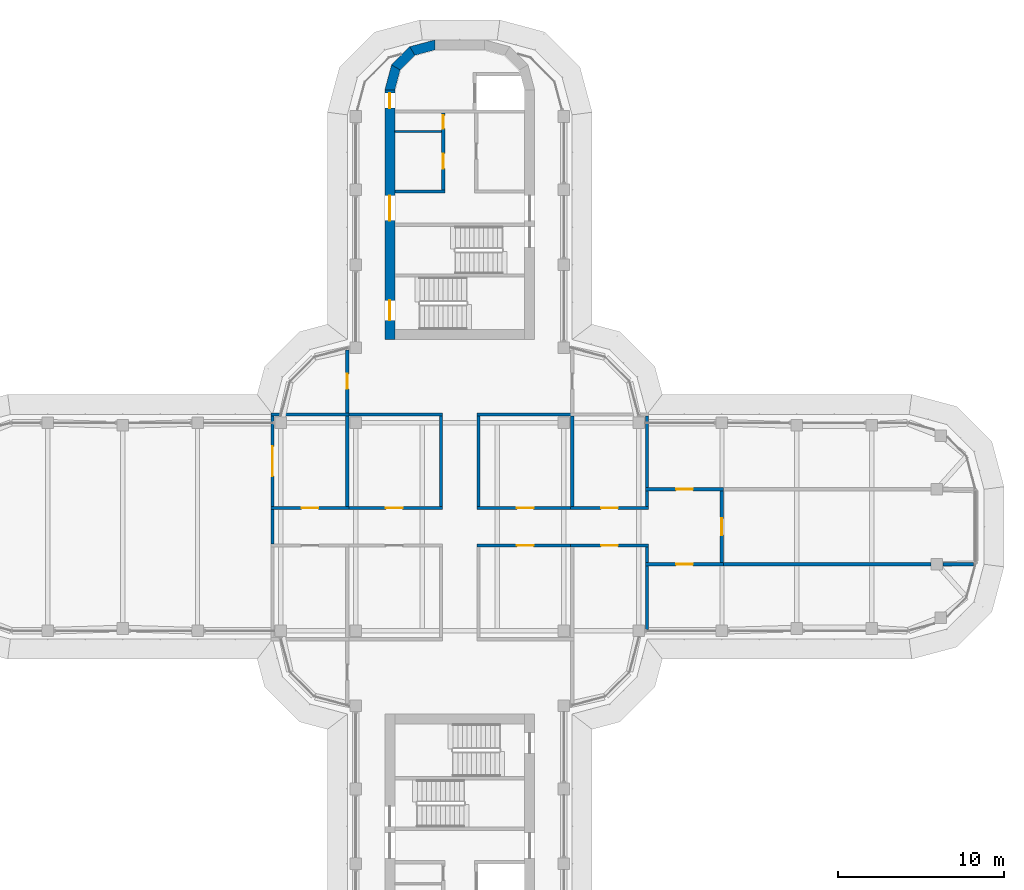
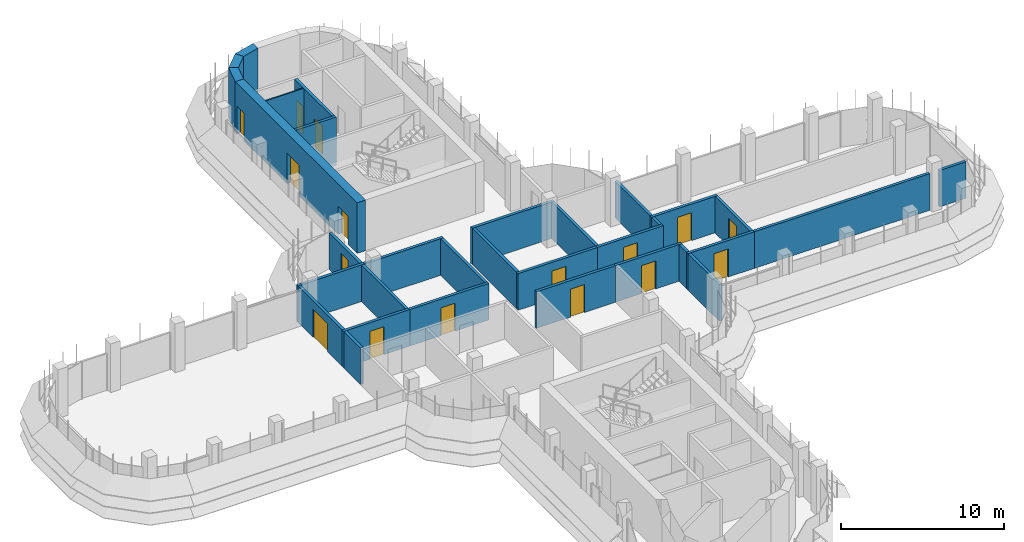
# One storey, part 14 of 19: 32 walls, 16 doors, 16 openings.
"""IFC4 building model written with IfcOpenShell, lengths in metres."""

from ifc_helpers import new_model, si_unit, direction, frame, frame_2d, origin, place, context, subcontext, project, spatial, polyline, rectangle, outline, extrude, material, layer, layer_set, type_object, element, fill, save


model = new_model("IFC4")

# Units and contexts
model_context = context("Model", 3, precision=1e-05, world=origin(), true_north=direction((0.0, 1.0)))
body_context = subcontext(model_context, "Body", "Model", "MODEL_VIEW")
ifc_project = project(units=[si_unit("LENGTHUNIT", "METRE"), si_unit("AREAUNIT", "SQUARE_METRE"), si_unit("VOLUMEUNIT", "CUBIC_METRE"), si_unit("PLANEANGLEUNIT", "RADIAN"), si_unit("MASSUNIT", "GRAM", prefix="KILO")], contexts=[model_context])

# Site, building, storey
site_placement = place(None, origin())
site = spatial("IfcSite", under=ifc_project, at=site_placement, CompositionType="ELEMENT")
building_placement = place(site_placement, origin())
building = spatial("IfcBuilding", under=site, at=building_placement, Name="Zarbagh Exchange Tower", CompositionType="ELEMENT")
storey_placement = place(building_placement, frame((0.0, 0.0, 241.0)))
storey = spatial("IfcBuildingStorey", under=building, at=storey_placement, Name="L59", CompositionType="ELEMENT", Elevation=241.0)

# Wall
ifc_material_1 = material(Name="Dense blockwork", Category="masonry")
ifc_layer_1 = layer(ifc_material_1, 0.10009765625)
ifc_layer_set_1 = layer_set([ifc_layer_1], Name="Core partition 100 mm blockwork")
wall_type_1 = type_object("IfcWallType", Name="Core partition 100 mm blockwork", PredefinedType="PARTITIONING", material=ifc_layer_set_1)
wall_1_placement = place(storey_placement, frame((-3.89990234375, 23.75, 0.0), z_axis=(0.0, 0.0, 1.0), x_axis=(1.0, 0.0, 0.0)))
element("IfcWall", 1, at=wall_1_placement, inside=storey, type_object=wall_type_1, Name="North core partition wall CUT-W-460", PredefinedType="PARTITIONING", context=body_context, shape_type="SweptSolid", body=[
    extrude(rectangle(XDim=2.7998046875, YDim=0.10009765625, at=frame_2d((1.39990234375, 0.0))), origin(), (0.0, 0.0, 1.0), 3.64990234375),
])

# Wall, opening, door
ifc_material_2 = material(Name="Fire-rated plasterboard partition")
ifc_layer_2 = layer(ifc_material_2, 0.199951171875)
ifc_layer_set_2 = layer_set([ifc_layer_2], Name="RATED PARTITION 200")
wall_type_2 = type_object("IfcWallType", Name="RATED PARTITION 200", PredefinedType="PARTITIONING", material=ifc_layer_set_2)
wall_2_placement = place(storey_placement, frame((1.02490234375, 1.125, 0.0), z_axis=(0.0, 0.0, 1.0), x_axis=(1.0, 0.0, 0.0)))
wall_2 = element("IfcWall", 2, at=wall_2_placement, inside=storey, type_object=wall_type_2, Name="Partition W-2501", PredefinedType="PARTITIONING", context=body_context, shape_type="SweptSolid", body=[
    extrude(rectangle(XDim=5.8251953125, YDim=0.199951171875, at=frame_2d((2.91259765625, 0.0))), origin(), (0.0, 0.0, 1.0), 2.745849609375),
])
opening_1_placement = place(wall_2_placement, frame((2.41259765625, 0.0, 0.0)))
opening_1 = element("IfcOpeningElement", 3, at=opening_1_placement, cuts=wall_2, Name="Opening D-2504", PredefinedType="OPENING", context=body_context, shape_type="SweptSolid", body=[
    extrude(rectangle(XDim=1.0, YDim=2.10009765625, at=frame_2d((0.5, 1.050048828125))), frame((0.0, 0.10986328125, 0.0), z_axis=(0.0, -1.0, 0.0), x_axis=(1.0, 0.0, 0.0)), (0.0, 0.0, 1.0), 0.219970703125),
])
ifc_material_3 = material(Name="Steel door set", Category="steel")
door_type_1 = type_object("IfcDoorType", Name="FIRE DOOR 1000 X 2100 FD30S", OperationType="NOTDEFINED", PredefinedType="DOOR", material=ifc_material_3)
door_1_placement = place(opening_1_placement, origin())
door_1 = element("IfcDoor", 4, at=door_1_placement, inside=storey, type_object=door_type_1, Name="Door D-2504", OperationType="SINGLE_SWING_RIGHT", OverallHeight=2.10009765625, OverallWidth=1.0, PredefinedType="DOOR", context=body_context, shape_type="SweptSolid", body=[
    extrude(rectangle(XDim=1.0, YDim=2.10009765625, at=frame_2d((0.5, 1.050048828125))), frame((0.0, 0.02490234375, 0.0), z_axis=(0.0, -1.0, 0.0), x_axis=(1.0, 0.0, 0.0)), (0.0, 0.0, 1.0), 0.050048828125),
])
fill(opening_1, door_1)

wall_3_placement = place(storey_placement, frame((6.64990234375, 1.125, 0.0), z_axis=(0.0, 0.0, 1.0), x_axis=(1.0, 0.0, 0.0)))
wall_3 = element("IfcWall", 5, at=wall_3_placement, inside=storey, type_object=wall_type_2, Name="Partition W-2502", PredefinedType="PARTITIONING", context=body_context, shape_type="SweptSolid", body=[
    extrude(rectangle(XDim=4.7001953125, YDim=0.199951171875, at=frame_2d((2.35009765625, 0.0))), origin(), (0.0, 0.0, 1.0), 2.745849609375),
])
opening_2_placement = place(wall_3_placement, frame((1.85009765625, 0.0, 0.0)))
opening_2 = element("IfcOpeningElement", 6, at=opening_2_placement, cuts=wall_3, Name="Opening D-2505", PredefinedType="OPENING", context=body_context, shape_type="SweptSolid", body=[
    extrude(rectangle(XDim=1.0, YDim=2.10009765625, at=frame_2d((0.5, 1.050048828125))), frame((0.0, 0.10986328125, 0.0), z_axis=(0.0, -1.0, 0.0), x_axis=(1.0, 0.0, 0.0)), (0.0, 0.0, 1.0), 0.219970703125),
])
door_2_placement = place(opening_2_placement, origin())
door_2 = element("IfcDoor", 7, at=door_2_placement, inside=storey, type_object=door_type_1, Name="Door D-2505", OperationType="SINGLE_SWING_RIGHT", OverallHeight=2.10009765625, OverallWidth=1.0, PredefinedType="DOOR", context=body_context, shape_type="SweptSolid", body=[
    extrude(rectangle(XDim=1.0, YDim=2.10009765625, at=frame_2d((0.5, 1.050048828125))), frame((0.0, 0.02490234375, 0.0), z_axis=(0.0, -1.0, 0.0), x_axis=(1.0, 0.0, 0.0)), (0.0, 0.0, 1.0), 0.050048828125),
])
fill(opening_2, door_2)

wall_4_placement = place(storey_placement, frame((-6.85009765625, 1.125, 0.0), z_axis=(0.0, 0.0, 1.0), x_axis=(1.0, 0.0, 0.0)))
wall_4 = element("IfcWall", 8, at=wall_4_placement, inside=storey, type_object=wall_type_2, Name="Partition W-2503", PredefinedType="PARTITIONING", context=body_context, shape_type="SweptSolid", body=[
    extrude(rectangle(XDim=5.8251953125, YDim=0.199951171875, at=frame_2d((2.91259765625, 0.0))), origin(), (0.0, 0.0, 1.0), 2.745849609375),
])
opening_3_placement = place(wall_4_placement, frame((2.41259765625, 0.0, 0.0)))
opening_3 = element("IfcOpeningElement", 9, at=opening_3_placement, cuts=wall_4, Name="Opening D-2507", PredefinedType="OPENING", context=body_context, shape_type="SweptSolid", body=[
    extrude(rectangle(XDim=1.0, YDim=2.10009765625, at=frame_2d((0.5, 1.050048828125))), frame((0.0, 0.10986328125, 0.0), z_axis=(0.0, -1.0, 0.0), x_axis=(1.0, 0.0, 0.0)), (0.0, 0.0, 1.0), 0.219970703125),
])
door_3_placement = place(opening_3_placement, origin())
door_3 = element("IfcDoor", 10, at=door_3_placement, inside=storey, type_object=door_type_1, Name="Door D-2507", OperationType="SINGLE_SWING_RIGHT", OverallHeight=2.10009765625, OverallWidth=1.0, PredefinedType="DOOR", context=body_context, shape_type="SweptSolid", body=[
    extrude(rectangle(XDim=1.0, YDim=2.10009765625, at=frame_2d((0.5, 1.050048828125))), frame((0.0, 0.02490234375, 0.0), z_axis=(0.0, -1.0, 0.0), x_axis=(1.0, 0.0, 0.0)), (0.0, 0.0, 1.0), 0.050048828125),
])
fill(opening_3, door_3)

wall_5_placement = place(storey_placement, frame((-11.35009765625, 1.125, 0.0), z_axis=(0.0, 0.0, 1.0), x_axis=(1.0, 0.0, 0.0)))
wall_5 = element("IfcWall", 11, at=wall_5_placement, inside=storey, type_object=wall_type_2, Name="Partition W-2504", PredefinedType="PARTITIONING", context=body_context, shape_type="SweptSolid", body=[
    extrude(rectangle(XDim=4.7001953125, YDim=0.199951171875, at=frame_2d((2.35009765625, 0.0))), origin(), (0.0, 0.0, 1.0), 2.745849609375),
])
opening_4_placement = place(wall_5_placement, frame((1.85009765625, 0.0, 0.0)))
opening_4 = element("IfcOpeningElement", 12, at=opening_4_placement, cuts=wall_5, Name="Opening D-2508", PredefinedType="OPENING", context=body_context, shape_type="SweptSolid", body=[
    extrude(rectangle(XDim=1.0, YDim=2.10009765625, at=frame_2d((0.5, 1.050048828125))), frame((0.0, 0.10986328125, 0.0), z_axis=(0.0, -1.0, 0.0), x_axis=(1.0, 0.0, 0.0)), (0.0, 0.0, 1.0), 0.219970703125),
])
door_4_placement = place(opening_4_placement, origin())
door_4 = element("IfcDoor", 13, at=door_4_placement, inside=storey, type_object=door_type_1, Name="Door D-2508", OperationType="SINGLE_SWING_RIGHT", OverallHeight=2.10009765625, OverallWidth=1.0, PredefinedType="DOOR", context=body_context, shape_type="SweptSolid", body=[
    extrude(rectangle(XDim=1.0, YDim=2.10009765625, at=frame_2d((0.5, 1.050048828125))), frame((0.0, 0.02490234375, 0.0), z_axis=(0.0, -1.0, 0.0), x_axis=(1.0, 0.0, 0.0)), (0.0, 0.0, 1.0), 0.050048828125),
])
fill(opening_4, door_4)

wall_6_placement = place(storey_placement, frame((6.85009765625, -1.125, 0.0), z_axis=(0.0, 0.0, 1.0), x_axis=(-1.0, 0.0, 0.0)))
wall_6 = element("IfcWall", 14, at=wall_6_placement, inside=storey, type_object=wall_type_2, Name="Partition W-2505", PredefinedType="PARTITIONING", context=body_context, shape_type="SweptSolid", body=[
    extrude(rectangle(XDim=5.8251953125, YDim=0.199951171875, at=frame_2d((2.91259765625, 0.0))), origin(), (0.0, 0.0, 1.0), 2.745849609375),
])
opening_5_placement = place(wall_6_placement, frame((2.41259765625, 0.0, 0.0)))
opening_5 = element("IfcOpeningElement", 15, at=opening_5_placement, cuts=wall_6, Name="Opening D-2510", PredefinedType="OPENING", context=body_context, shape_type="SweptSolid", body=[
    extrude(rectangle(XDim=1.0, YDim=2.10009765625, at=frame_2d((0.5, 1.050048828125))), frame((0.0, 0.10986328125, 0.0), z_axis=(0.0, -1.0, 0.0), x_axis=(1.0, 0.0, 0.0)), (0.0, 0.0, 1.0), 0.219970703125),
])
door_5_placement = place(opening_5_placement, origin())
door_5 = element("IfcDoor", 16, at=door_5_placement, inside=storey, type_object=door_type_1, Name="Door D-2510", OperationType="SINGLE_SWING_RIGHT", OverallHeight=2.10009765625, OverallWidth=1.0, PredefinedType="DOOR", context=body_context, shape_type="SweptSolid", body=[
    extrude(rectangle(XDim=1.0, YDim=2.10009765625, at=frame_2d((0.5, 1.050048828125))), frame((0.0, 0.02490234375, 0.0), z_axis=(0.0, -1.0, 0.0), x_axis=(1.0, 0.0, 0.0)), (0.0, 0.0, 1.0), 0.050048828125),
])
fill(opening_5, door_5)

wall_7_placement = place(storey_placement, frame((11.35009765625, -1.125, 0.0), z_axis=(0.0, 0.0, 1.0), x_axis=(-1.0, 0.0, 0.0)))
wall_7 = element("IfcWall", 17, at=wall_7_placement, inside=storey, type_object=wall_type_2, Name="Partition W-2506", PredefinedType="PARTITIONING", context=body_context, shape_type="SweptSolid", body=[
    extrude(rectangle(XDim=4.7001953125, YDim=0.199951171875, at=frame_2d((2.35009765625, 0.0))), origin(), (0.0, 0.0, 1.0), 2.745849609375),
])
opening_6_placement = place(wall_7_placement, frame((1.85009765625, 0.0, 0.0)))
opening_6 = element("IfcOpeningElement", 18, at=opening_6_placement, cuts=wall_7, Name="Opening D-2511", PredefinedType="OPENING", context=body_context, shape_type="SweptSolid", body=[
    extrude(rectangle(XDim=1.0, YDim=2.10009765625, at=frame_2d((0.5, 1.050048828125))), frame((0.0, 0.10986328125, 0.0), z_axis=(0.0, -1.0, 0.0), x_axis=(1.0, 0.0, 0.0)), (0.0, 0.0, 1.0), 0.219970703125),
])
door_6_placement = place(opening_6_placement, origin())
door_6 = element("IfcDoor", 19, at=door_6_placement, inside=storey, type_object=door_type_1, Name="Door D-2511", OperationType="SINGLE_SWING_RIGHT", OverallHeight=2.10009765625, OverallWidth=1.0, PredefinedType="DOOR", context=body_context, shape_type="SweptSolid", body=[
    extrude(rectangle(XDim=1.0, YDim=2.10009765625, at=frame_2d((0.5, 1.050048828125))), frame((0.0, 0.02490234375, 0.0), z_axis=(0.0, -1.0, 0.0), x_axis=(1.0, 0.0, 0.0)), (0.0, 0.0, 1.0), 0.050048828125),
])
fill(opening_6, door_6)

# Walls
wall_8_placement = place(storey_placement, frame((-11.25, -1.02490234375, 0.0), z_axis=(0.0, 0.0, 1.0), x_axis=(0.0, 1.0, 0.0)))
element("IfcWall", 20, at=wall_8_placement, inside=storey, type_object=wall_type_2, Name="Partition W-2509", PredefinedType="PARTITIONING", context=body_context, shape_type="SweptSolid", body=[
    extrude(rectangle(XDim=2.0498046875, YDim=0.199951171875, at=frame_2d((1.02490234375, 0.0))), origin(), (0.0, 0.0, 1.0), 2.745849609375),
])
for number, where, z_axis, x_axis, name in (
    (21, (1.125, 1.22509765625, 0.0), (0.0, 0.0, 1.0), (0.0, 1.0, 0.0), "Partition W-2510"),
    (22, (-1.125, 1.22509765625, 0.0), (0.0, 0.0, 1.0), (0.0, 1.0, 0.0), "Partition W-2511"),
):
    element("IfcWall", number, at=place(storey_placement, frame(where, z_axis=z_axis, x_axis=x_axis)), inside=storey, type_object=wall_type_2, Name=name, PredefinedType="PARTITIONING", context=body_context, shape_type="SweptSolid", body=[
        extrude(rectangle(XDim=5.4248046875, YDim=0.199951171875, at=frame_2d((2.71240234375, 0.0))), origin(), (0.0, 0.0, 1.0), 2.745849609375),
    ])
for number, where, z_axis, x_axis, name in (
    (23, (1.02490234375, 6.75, 0.0), (0.0, 0.0, 1.0), (1.0, 0.0, 0.0), "Partition W-2514"),
    (24, (-6.85009765625, 6.75, 0.0), (0.0, 0.0, 1.0), (1.0, 0.0, 0.0), "Partition W-2516"),
):
    element("IfcWall", number, at=place(storey_placement, frame(where, z_axis=z_axis, x_axis=x_axis)), inside=storey, type_object=wall_type_2, Name=name, PredefinedType="PARTITIONING", context=body_context, shape_type="SweptSolid", body=[
        extrude(rectangle(XDim=5.8251953125, YDim=0.199951171875, at=frame_2d((2.91259765625, 0.0))), origin(), (0.0, 0.0, 1.0), 2.745849609375),
    ])

# Wall, opening, door
wall_9_placement = place(storey_placement, frame((-6.75, 6.85009765625, 0.0), z_axis=(0.0, 0.0, 1.0), x_axis=(0.0, 1.0, 0.0)))
wall_9 = element("IfcWall", 25, at=wall_9_placement, inside=storey, type_object=wall_type_2, Name="Partition W-2517", PredefinedType="PARTITIONING", context=body_context, shape_type="SweptSolid", body=[
    extrude(rectangle(XDim=3.77978515625, YDim=0.199951171875, at=frame_2d((1.889892578125, 0.0))), origin(), (0.0, 0.0, 1.0), 2.745849609375),
])
opening_7_placement = place(wall_9_placement, frame((1.43994140625, 0.0, 0.0)))
opening_7 = element("IfcOpeningElement", 26, at=opening_7_placement, cuts=wall_9, Name="Opening D-2509", PredefinedType="OPENING", context=body_context, shape_type="SweptSolid", body=[
    extrude(rectangle(XDim=0.89990234375, YDim=2.10009765625, at=frame_2d((0.449951171875, 1.050048828125))), frame((0.0, 0.10986328125, 0.0), z_axis=(0.0, -1.0, 0.0), x_axis=(1.0, 0.0, 0.0)), (0.0, 0.0, 1.0), 0.219970703125),
])
ifc_material_4 = material(Name="Timber door leaf", Category="wood")
door_type_2 = type_object("IfcDoorType", Name="DOOR 900 X 2100", OperationType="NOTDEFINED", PredefinedType="DOOR", material=ifc_material_4)
door_7_placement = place(opening_7_placement, origin())
door_7 = element("IfcDoor", 27, at=door_7_placement, inside=storey, type_object=door_type_2, Name="Door D-2509", OperationType="SINGLE_SWING_LEFT", OverallHeight=2.10009765625, OverallWidth=0.89990234375, PredefinedType="DOOR", context=body_context, shape_type="SweptSolid", body=[
    extrude(rectangle(XDim=0.89990234375, YDim=2.10009765625, at=frame_2d((0.449951171875, 1.050048828125))), frame((0.0, 0.02490234375, 0.0), z_axis=(0.0, -1.0, 0.0), x_axis=(1.0, 0.0, 0.0)), (0.0, 0.0, 1.0), 0.050048828125),
])
fill(opening_7, door_7)

# Walls
wall_10_placement = place(storey_placement, frame((6.75, 1.22509765625, 0.0), z_axis=(0.0, 0.0, 1.0), x_axis=(0.0, 1.0, 0.0)))
element("IfcWall", 28, at=wall_10_placement, inside=storey, type_object=wall_type_2, Name="Partition W-2522", PredefinedType="PARTITIONING", context=body_context, shape_type="SweptSolid", body=[
    extrude(rectangle(XDim=5.4248046875, YDim=0.199951171875, at=frame_2d((2.71240234375, 0.0))), origin(), (0.0, 0.0, 1.0), 2.745849609375),
])
wall_11_placement = place(storey_placement, frame((11.25, 1.22509765625, 0.0), z_axis=(0.0, 0.0, 1.0), x_axis=(0.0, 1.0, 0.0)))
element("IfcWall", 29, at=wall_11_placement, inside=storey, type_object=wall_type_2, Name="Partition W-2524", PredefinedType="PARTITIONING", context=body_context, shape_type="SweptSolid", body=[
    extrude(rectangle(XDim=0.9248046875, YDim=0.199951171875, at=frame_2d((0.46240234375, 0.0))), origin(), (0.0, 0.0, 1.0), 2.745849609375),
])
wall_12_placement = place(storey_placement, frame((11.25, 2.35009765625, 0.0), z_axis=(0.0, 0.0, 1.0), x_axis=(0.0, 1.0, 0.0)))
element("IfcWall", 30, at=wall_12_placement, inside=storey, type_object=wall_type_2, Name="Partition W-2525", PredefinedType="PARTITIONING", context=body_context, shape_type="SweptSolid", body=[
    extrude(rectangle(XDim=4.2998046875, YDim=0.199951171875, at=frame_2d((2.14990234375, 0.0))), origin(), (0.0, 0.0, 1.0), 2.745849609375),
])
wall_13_placement = place(storey_placement, frame((-6.75, 1.22509765625, 0.0), z_axis=(0.0, 0.0, 1.0), x_axis=(0.0, 1.0, 0.0)))
element("IfcWall", 31, at=wall_13_placement, inside=storey, type_object=wall_type_2, Name="Partition W-2526", PredefinedType="PARTITIONING", context=body_context, shape_type="SweptSolid", body=[
    extrude(rectangle(XDim=5.4248046875, YDim=0.199951171875, at=frame_2d((2.71240234375, 0.0))), origin(), (0.0, 0.0, 1.0), 2.745849609375),
])
wall_14_placement = place(storey_placement, frame((-11.35009765625, 6.75, 0.0), z_axis=(0.0, 0.0, 1.0), x_axis=(1.0, 0.0, 0.0)))
element("IfcWall", 32, at=wall_14_placement, inside=storey, type_object=wall_type_2, Name="Partition W-2527", PredefinedType="PARTITIONING", context=body_context, shape_type="SweptSolid", body=[
    extrude(rectangle(XDim=4.7001953125, YDim=0.199951171875, at=frame_2d((2.35009765625, 0.0))), origin(), (0.0, 0.0, 1.0), 2.745849609375),
])

# Wall, opening, door
wall_15_placement = place(storey_placement, frame((-11.25, 1.22509765625, 0.0), z_axis=(0.0, 0.0, 1.0), x_axis=(0.0, 1.0, 0.0)))
wall_15 = element("IfcWall", 33, at=wall_15_placement, inside=storey, type_object=wall_type_2, Name="Partition W-2528", PredefinedType="PARTITIONING", context=body_context, shape_type="SweptSolid", body=[
    extrude(rectangle(XDim=5.4248046875, YDim=0.199951171875, at=frame_2d((2.71240234375, 0.0))), origin(), (0.0, 0.0, 1.0), 2.745849609375),
])
opening_8_placement = place(wall_15_placement, frame((1.8125, 0.0, 0.0)))
opening_8 = element("IfcOpeningElement", 34, at=opening_8_placement, cuts=wall_15, Name="Opening D-2515", PredefinedType="OPENING", context=body_context, shape_type="SweptSolid", body=[
    extrude(rectangle(XDim=1.800048828125, YDim=2.10009765625, at=frame_2d((0.89990234375, 1.050048828125))), frame((0.0, 0.10986328125, 0.0), z_axis=(0.0, -1.0, 0.0), x_axis=(1.0, 0.0, 0.0)), (0.0, 0.0, 1.0), 0.219970703125),
])
door_type_3 = type_object("IfcDoorType", Name="FIRE DOUBLE DOOR 1800 X 2100 FD30S", OperationType="DOUBLE_DOOR_SINGLE_SWING", PredefinedType="DOOR", material=ifc_material_3)
door_8_placement = place(opening_8_placement, origin())
door_8 = element("IfcDoor", 35, at=door_8_placement, inside=storey, type_object=door_type_3, Name="Door D-2515", OperationType="DOUBLE_DOOR_SINGLE_SWING", OverallHeight=2.10009765625, OverallWidth=1.800048828125, PredefinedType="DOOR", context=body_context, shape_type="SweptSolid", body=[
    extrude(rectangle(XDim=1.800048828125, YDim=2.10009765625, at=frame_2d((0.89990234375, 1.050048828125))), frame((0.0, 0.02490234375, 0.0), z_axis=(0.0, -1.0, 0.0), x_axis=(1.0, 0.0, 0.0)), (0.0, 0.0, 1.0), 0.050048828125),
])
fill(opening_8, door_8)

# Walls
wall_16_placement = place(storey_placement, frame((11.25, -2.14990234375, 0.0), z_axis=(0.0, 0.0, 1.0), x_axis=(0.0, 1.0, 0.0)))
element("IfcWall", 36, at=wall_16_placement, inside=storey, type_object=wall_type_2, Name="Partition W-2530", PredefinedType="PARTITIONING", context=body_context, shape_type="SweptSolid", body=[
    extrude(rectangle(XDim=0.9248046875, YDim=0.199951171875, at=frame_2d((0.46240234375, 0.0))), origin(), (0.0, 0.0, 1.0), 2.745849609375),
])
wall_17_placement = place(storey_placement, frame((11.25, -6.169921875, 0.0), z_axis=(0.0, 0.0, 1.0), x_axis=(0.0, 1.0, 0.0)))
element("IfcWall", 37, at=wall_17_placement, inside=storey, type_object=wall_type_2, Name="Partition W-2531", PredefinedType="PARTITIONING", context=body_context, shape_type="SweptSolid", body=[
    extrude(rectangle(XDim=3.81982421875, YDim=0.199951171875, at=frame_2d((1.909912109375, 0.0))), origin(), (0.0, 0.0, 1.0), 2.745849609375),
])

# Wall, opening, door
wall_18_placement = place(storey_placement, frame((11.14990234375, 2.25, 0.0), z_axis=(0.0, 0.0, 1.0), x_axis=(1.0, 0.0, 0.0)))
wall_18 = element("IfcWall", 38, at=wall_18_placement, inside=storey, type_object=wall_type_2, Name="Partition W-2535", PredefinedType="PARTITIONING", context=body_context, shape_type="SweptSolid", body=[
    extrude(rectangle(XDim=4.7001953125, YDim=0.199951171875, at=frame_2d((2.35009765625, 0.0))), origin(), (0.0, 0.0, 1.0), 2.745849609375),
])
opening_9_placement = place(wall_18_placement, frame((1.85009765625, 0.0, 0.0)))
opening_9 = element("IfcOpeningElement", 39, at=opening_9_placement, cuts=wall_18, Name="Opening D-2502", PredefinedType="OPENING", context=body_context, shape_type="SweptSolid", body=[
    extrude(rectangle(XDim=1.0, YDim=2.10009765625, at=frame_2d((0.5, 1.050048828125))), frame((0.0, 0.10986328125, 0.0), z_axis=(0.0, -1.0, 0.0), x_axis=(1.0, 0.0, 0.0)), (0.0, 0.0, 1.0), 0.219970703125),
])
door_9_placement = place(opening_9_placement, origin())
door_9 = element("IfcDoor", 40, at=door_9_placement, inside=storey, type_object=door_type_1, Name="Door D-2502", OperationType="SINGLE_SWING_RIGHT", OverallHeight=2.10009765625, OverallWidth=1.0, PredefinedType="DOOR", context=body_context, shape_type="SweptSolid", body=[
    extrude(rectangle(XDim=1.0, YDim=2.10009765625, at=frame_2d((0.5, 1.050048828125))), frame((0.0, 0.02490234375, 0.0), z_axis=(0.0, -1.0, 0.0), x_axis=(1.0, 0.0, 0.0)), (0.0, 0.0, 1.0), 0.050048828125),
])
fill(opening_9, door_9)

wall_19_placement = place(storey_placement, frame((15.85009765625, -2.25, 0.0), z_axis=(0.0, 0.0, 1.0), x_axis=(-1.0, 0.0, 0.0)))
wall_19 = element("IfcWall", 41, at=wall_19_placement, inside=storey, type_object=wall_type_2, Name="Partition W-2536", PredefinedType="PARTITIONING", context=body_context, shape_type="SweptSolid", body=[
    extrude(rectangle(XDim=4.7001953125, YDim=0.199951171875, at=frame_2d((2.35009765625, 0.0))), origin(), (0.0, 0.0, 1.0), 2.745849609375),
])
opening_10_placement = place(wall_19_placement, frame((1.85009765625, 0.0, 0.0)))
opening_10 = element("IfcOpeningElement", 42, at=opening_10_placement, cuts=wall_19, Name="Opening D-2503", PredefinedType="OPENING", context=body_context, shape_type="SweptSolid", body=[
    extrude(rectangle(XDim=1.0, YDim=2.10009765625, at=frame_2d((0.5, 1.050048828125))), frame((0.0, 0.10986328125, 0.0), z_axis=(0.0, -1.0, 0.0), x_axis=(1.0, 0.0, 0.0)), (0.0, 0.0, 1.0), 0.219970703125),
])
door_10_placement = place(opening_10_placement, origin())
door_10 = element("IfcDoor", 43, at=door_10_placement, inside=storey, type_object=door_type_1, Name="Door D-2503", OperationType="SINGLE_SWING_RIGHT", OverallHeight=2.10009765625, OverallWidth=1.0, PredefinedType="DOOR", context=body_context, shape_type="SweptSolid", body=[
    extrude(rectangle(XDim=1.0, YDim=2.10009765625, at=frame_2d((0.5, 1.050048828125))), frame((0.0, 0.02490234375, 0.0), z_axis=(0.0, -1.0, 0.0), x_axis=(1.0, 0.0, 0.0)), (0.0, 0.0, 1.0), 0.050048828125),
])
fill(opening_10, door_10)

wall_20_placement = place(storey_placement, frame((15.75, 2.14990234375, 0.0), z_axis=(0.0, 0.0, 1.0), x_axis=(0.0, -1.0, 0.0)))
wall_20 = element("IfcWall", 44, at=wall_20_placement, inside=storey, type_object=wall_type_2, Name="Partition W-2537", PredefinedType="PARTITIONING", context=body_context, shape_type="SweptSolid", body=[
    extrude(rectangle(XDim=4.2998046875, YDim=0.199951171875, at=frame_2d((2.14990234375, 0.0))), origin(), (0.0, 0.0, 1.0), 2.745849609375),
])
opening_11_placement = place(wall_20_placement, frame((1.64990234375, 0.0, 0.0)))
opening_11 = element("IfcOpeningElement", 45, at=opening_11_placement, cuts=wall_20, Name="Opening D-2501", PredefinedType="OPENING", context=body_context, shape_type="SweptSolid", body=[
    extrude(rectangle(XDim=1.0, YDim=2.10009765625, at=frame_2d((0.5, 1.050048828125))), frame((0.0, 0.10986328125, 0.0), z_axis=(0.0, -1.0, 0.0), x_axis=(1.0, 0.0, 0.0)), (0.0, 0.0, 1.0), 0.219970703125),
])
door_11_placement = place(opening_11_placement, origin())
door_11 = element("IfcDoor", 46, at=door_11_placement, inside=storey, type_object=door_type_1, Name="Door D-2501", OperationType="SINGLE_SWING_RIGHT", OverallHeight=2.10009765625, OverallWidth=1.0, PredefinedType="DOOR", context=body_context, shape_type="SweptSolid", body=[
    extrude(rectangle(XDim=1.0, YDim=2.10009765625, at=frame_2d((0.5, 1.050048828125))), frame((0.0, 0.02490234375, 0.0), z_axis=(0.0, -1.0, 0.0), x_axis=(1.0, 0.0, 0.0)), (0.0, 0.0, 1.0), 0.050048828125),
])
fill(opening_11, door_11)

# Walls
wall_21_placement = place(storey_placement, frame((15.64990234375, -2.25, 0.0), z_axis=(0.0, 0.0, 1.0), x_axis=(1.0, 0.0, 0.0)))
element("IfcWall", 47, at=wall_21_placement, inside=storey, type_object=wall_type_2, Name="Partition W-2540", PredefinedType="PARTITIONING", context=body_context, shape_type="SweptSolid", body=[
    extrude(rectangle(XDim=12.670166015625, YDim=0.199951171875, at=frame_2d((6.3349609375, 0.0))), origin(), (0.0, 0.0, 1.0), 2.745849609375),
])
wall_22_placement = place(storey_placement, frame((29.02001953125, -2.25, 0.0), z_axis=(0.0, 0.0, 1.0), x_axis=(1.0, 0.0, 0.0)))
element("IfcWall", 48, at=wall_22_placement, inside=storey, type_object=wall_type_2, Name="Partition W-2541", PredefinedType="PARTITIONING", context=body_context, shape_type="SweptSolid", body=[
    extrude(rectangle(XDim=1.85986328125, YDim=0.199951171875, at=frame_2d((0.929931640625, 0.0))), origin(), (0.0, 0.0, 1.0), 2.745849609375),
])
ifc_material_5 = material(Name="Concrete C50/60", Category="concrete")
ifc_layer_3 = layer(ifc_material_5, 0.60009765625)
ifc_layer_set_3 = layer_set([ifc_layer_3], Name="RC core corner wall 600 C50/60")
wall_type_3 = type_object("IfcWallType", Name="RC core corner wall 600 C50/60", PredefinedType="SHEAR", material=ifc_layer_set_3)
wall_23_placement = place(storey_placement, origin())
element("IfcWall", 49, at=wall_23_placement, inside=storey, type_object=wall_type_3, Name="CW8 core N corner W", PredefinedType="SHEAR", context=body_context, shape_type="SweptSolid", body=[
    extrude(outline(polyline([(-4.5, 26.25), (-4.09814453125, 27.75), (-3.57861328125, 27.449951171875), (-3.89990234375, 26.25), (-4.5, 26.25)])), origin(), (0.0, 0.0, 1.0), 3.800048828125),
])
wall_24_placement = place(storey_placement, origin())
element("IfcWall", 50, at=wall_24_placement, inside=storey, type_object=wall_type_3, Name="CW8 core N corner W", PredefinedType="SHEAR", context=body_context, shape_type="SweptSolid", body=[
    extrude(outline(polyline([(-4.09814453125, 27.75), (-3.0, 28.84814453125), (-2.699951171875, 28.32861328125), (-3.57861328125, 27.449951171875), (-4.09814453125, 27.75)])), origin(), (0.0, 0.0, 1.0), 3.800048828125),
])
wall_25_placement = place(storey_placement, origin())
element("IfcWall", 51, at=wall_25_placement, inside=storey, type_object=wall_type_3, Name="CW8 core N corner W", PredefinedType="SHEAR", context=body_context, shape_type="SweptSolid", body=[
    extrude(outline(polyline([(-3.0, 28.84814453125), (-1.5, 29.25), (-1.5, 28.64990234375), (-2.699951171875, 28.32861328125), (-3.0, 28.84814453125)])), origin(), (0.0, 0.0, 1.0), 3.800048828125),
])

# Wall, openings, doors
ifc_layer_4 = layer(ifc_material_5, 0.60009765625)
ifc_layer_set_4 = layer_set([ifc_layer_4], Name="RC core wall 600 C50/60")
wall_type_4 = type_object("IfcWallType", Name="RC core wall 600 C50/60", PredefinedType="SHEAR", material=ifc_layer_set_4)
wall_26_placement = place(storey_placement, frame((-4.199951171875, 11.25, 0.0), z_axis=(0.0, 0.0, 1.0), x_axis=(0.0, 1.0, 0.0)))
wall_26 = element("IfcWall", 52, at=wall_26_placement, inside=storey, type_object=wall_type_4, Name="CW7 core N W", PredefinedType="SHEAR", context=body_context, shape_type="SweptSolid", body=[
    extrude(rectangle(XDim=15.0, YDim=0.60009765625, at=frame_2d((7.5, 0.0))), origin(), (0.0, 0.0, 1.0), 3.800048828125),
])
opening_12_placement = place(wall_26_placement, frame((7.14990234375, 0.0, 0.0)))
opening_12 = element("IfcOpeningElement", 53, at=opening_12_placement, cuts=wall_26, Name="Opening CD1-1500", PredefinedType="OPENING", context=body_context, shape_type="SweptSolid", body=[
    extrude(rectangle(XDim=1.5, YDim=2.300048828125, at=frame_2d((0.75, 1.14990234375))), frame((0.0, 0.31005859375, 0.0), z_axis=(0.0, -1.0, 0.0), x_axis=(1.0, 0.0, 0.0)), (0.0, 0.0, 1.0), 0.6201171875),
])
opening_13_placement = place(wall_26_placement, frame((13.89990234375, 0.0, 0.0)))
opening_13 = element("IfcOpeningElement", 54, at=opening_13_placement, cuts=wall_26, Name="Opening CD2-900", PredefinedType="OPENING", context=body_context, shape_type="SweptSolid", body=[
    extrude(rectangle(XDim=0.89990234375, YDim=2.10009765625, at=frame_2d((0.449951171875, 1.050048828125))), frame((0.0, 0.31005859375, 0.0), z_axis=(0.0, -1.0, 0.0), x_axis=(1.0, 0.0, 0.0)), (0.0, 0.0, 1.0), 0.6201171875),
])
opening_14_placement = place(wall_26_placement, frame((1.14990234375, 0.0, 0.0)))
opening_14 = element("IfcOpeningElement", 55, at=opening_14_placement, cuts=wall_26, Name="Opening SD1-1200", PredefinedType="OPENING", context=body_context, shape_type="SweptSolid", body=[
    extrude(rectangle(XDim=1.199951171875, YDim=2.10009765625, at=frame_2d((0.60009765625, 1.050048828125))), frame((0.0, 0.31005859375, 0.0), z_axis=(0.0, -1.0, 0.0), x_axis=(1.0, 0.0, 0.0)), (0.0, 0.0, 1.0), 0.6201171875),
])
ifc_material_6 = material(Name="Steel", Category="steel")
door_type_4 = type_object("IfcDoorType", Name="Exit stair door 1200 x 2100", OperationType="NOTDEFINED", PredefinedType="DOOR", material=ifc_material_6)
door_12_placement = place(opening_14_placement, origin())
door_12 = element("IfcDoor", 56, at=door_12_placement, inside=storey, type_object=door_type_4, Name="North core stair door ST2", OperationType="SINGLE_SWING_RIGHT", OverallHeight=2.10009765625, OverallWidth=1.199951171875, PredefinedType="DOOR", context=body_context, shape_type="SweptSolid", body=[
    extrude(rectangle(XDim=1.199951171875, YDim=2.10009765625, at=frame_2d((0.60009765625, 1.050048828125))), frame((0.0, 0.02490234375, 0.0), z_axis=(0.0, -1.0, 0.0), x_axis=(1.0, 0.0, 0.0)), (0.0, 0.0, 1.0), 0.050048828125),
])
fill(opening_14, door_12)
door_type_5 = type_object("IfcDoorType", Name="Firefighting lobby door 900 x 2100", OperationType="NOTDEFINED", PredefinedType="DOOR", material=ifc_material_6)
door_13_placement = place(opening_13_placement, origin())
door_13 = element("IfcDoor", 57, at=door_13_placement, inside=storey, type_object=door_type_5, Name="North core firefighting lobby door FF-W", OperationType="SINGLE_SWING_LEFT", OverallHeight=2.10009765625, OverallWidth=0.89990234375, PredefinedType="DOOR", context=body_context, shape_type="SweptSolid", body=[
    extrude(rectangle(XDim=0.89990234375, YDim=2.10009765625, at=frame_2d((0.449951171875, 1.050048828125))), frame((0.0, 0.02490234375, 0.0), z_axis=(0.0, -1.0, 0.0), x_axis=(1.0, 0.0, 0.0)), (0.0, 0.0, 1.0), 0.050048828125),
])
fill(opening_13, door_13)
door_type_6 = type_object("IfcDoorType", Name="Lift lobby double door 1500 x 2300", OperationType="NOTDEFINED", PredefinedType="DOOR", material=ifc_material_6)
door_14_placement = place(opening_12_placement, origin())
door_14 = element("IfcDoor", 58, at=door_14_placement, inside=storey, type_object=door_type_6, Name="North core lift lobby door LOBBY-W", OperationType="DOUBLE_DOOR_SINGLE_SWING", OverallHeight=2.300048828125, OverallWidth=1.5, PredefinedType="DOOR", context=body_context, shape_type="SweptSolid", body=[
    extrude(rectangle(XDim=1.5, YDim=2.300048828125, at=frame_2d((0.75, 1.14990234375))), frame((0.0, 0.02490234375, 0.0), z_axis=(0.0, -1.0, 0.0), x_axis=(1.0, 0.0, 0.0)), (0.0, 0.0, 1.0), 0.050048828125),
])
fill(opening_12, door_14)

# Wall
ifc_layer_5 = layer(ifc_material_1, 0.199951171875)
ifc_layer_set_5 = layer_set([ifc_layer_5], Name="Shaft wall 200 mm blockwork")
wall_type_5 = type_object("IfcWallType", Name="Shaft wall 200 mm blockwork", PredefinedType="PARTITIONING", material=ifc_layer_set_5)
wall_27_placement = place(storey_placement, frame((-3.89990234375, 20.14990234375, 0.0), z_axis=(0.0, 0.0, 1.0), x_axis=(1.0, 0.0, 0.0)))
element("IfcWall", 59, at=wall_27_placement, inside=storey, type_object=wall_type_5, Name="North core shaft wall AB-W", PredefinedType="PARTITIONING", context=body_context, shape_type="SweptSolid", body=[
    extrude(rectangle(XDim=3.0, YDim=0.199951171875, at=frame_2d((1.5, 0.0))), origin(), (0.0, 0.0, 1.0), 3.64990234375),
])

# Wall, openings, doors
wall_28_placement = place(storey_placement, frame((-1.0, 24.85009765625, 0.0), z_axis=(0.0, 0.0, 1.0), x_axis=(0.0, -1.0, 0.0)))
wall_28 = element("IfcWall", 60, at=wall_28_placement, inside=storey, type_object=wall_type_5, Name="North core shaft wall LW-W", PredefinedType="PARTITIONING", context=body_context, shape_type="SweptSolid", body=[
    extrude(rectangle(XDim=4.60009765625, YDim=0.199951171875, at=frame_2d((2.300048828125, 0.0))), origin(), (0.0, 0.0, 1.0), 3.64990234375),
])
opening_15_placement = place(wall_28_placement, frame((0.125, 0.0, 0.0)))
opening_15 = element("IfcOpeningElement", 61, at=opening_15_placement, cuts=wall_28, Name="Opening CD3-800", PredefinedType="OPENING", context=body_context, shape_type="SweptSolid", body=[
    extrude(rectangle(XDim=0.800048828125, YDim=2.10009765625, at=frame_2d((0.39990234375, 1.050048828125))), frame((0.0, 0.10986328125, 0.0), z_axis=(0.0, -1.0, 0.0), x_axis=(1.0, 0.0, 0.0)), (0.0, 0.0, 1.0), 0.219970703125),
])
opening_16_placement = place(wall_28_placement, frame((2.425048828125, 0.0, 0.0)))
opening_16 = element("IfcOpeningElement", 62, at=opening_16_placement, cuts=wall_28, Name="Opening CD3-900", PredefinedType="OPENING", context=body_context, shape_type="SweptSolid", body=[
    extrude(rectangle(XDim=0.89990234375, YDim=2.10009765625, at=frame_2d((0.449951171875, 1.050048828125))), frame((0.0, 0.10986328125, 0.0), z_axis=(0.0, -1.0, 0.0), x_axis=(1.0, 0.0, 0.0)), (0.0, 0.0, 1.0), 0.219970703125),
])
door_type_7 = type_object("IfcDoorType", Name="Core room door 800 x 2100", OperationType="NOTDEFINED", PredefinedType="DOOR", material=ifc_material_6)
door_15_placement = place(opening_15_placement, origin())
door_15 = element("IfcDoor", 63, at=door_15_placement, inside=storey, type_object=door_type_7, Name="North core Store door RD-W-0", OperationType="SINGLE_SWING_RIGHT", OverallHeight=2.10009765625, OverallWidth=0.800048828125, PredefinedType="DOOR", context=body_context, shape_type="SweptSolid", body=[
    extrude(rectangle(XDim=0.800048828125, YDim=2.10009765625, at=frame_2d((0.39990234375, 1.050048828125))), frame((0.0, 0.02490234375, 0.0), z_axis=(0.0, -1.0, 0.0), x_axis=(1.0, 0.0, 0.0)), (0.0, 0.0, 1.0), 0.050048828125),
])
fill(opening_15, door_15)
door_type_8 = type_object("IfcDoorType", Name="Core room door 900 x 2100", OperationType="NOTDEFINED", PredefinedType="DOOR", material=ifc_material_6)
door_16_placement = place(opening_16_placement, origin())
door_16 = element("IfcDoor", 64, at=door_16_placement, inside=storey, type_object=door_type_8, Name="North core Accessible WC door RD-W-1", OperationType="SINGLE_SWING_RIGHT", OverallHeight=2.10009765625, OverallWidth=0.89990234375, PredefinedType="DOOR", context=body_context, shape_type="SweptSolid", body=[
    extrude(rectangle(XDim=0.89990234375, YDim=2.10009765625, at=frame_2d((0.449951171875, 1.050048828125))), frame((0.0, 0.02490234375, 0.0), z_axis=(0.0, -1.0, 0.0), x_axis=(1.0, 0.0, 0.0)), (0.0, 0.0, 1.0), 0.050048828125),
])
fill(opening_16, door_16)

save(model, "model.ifc")
